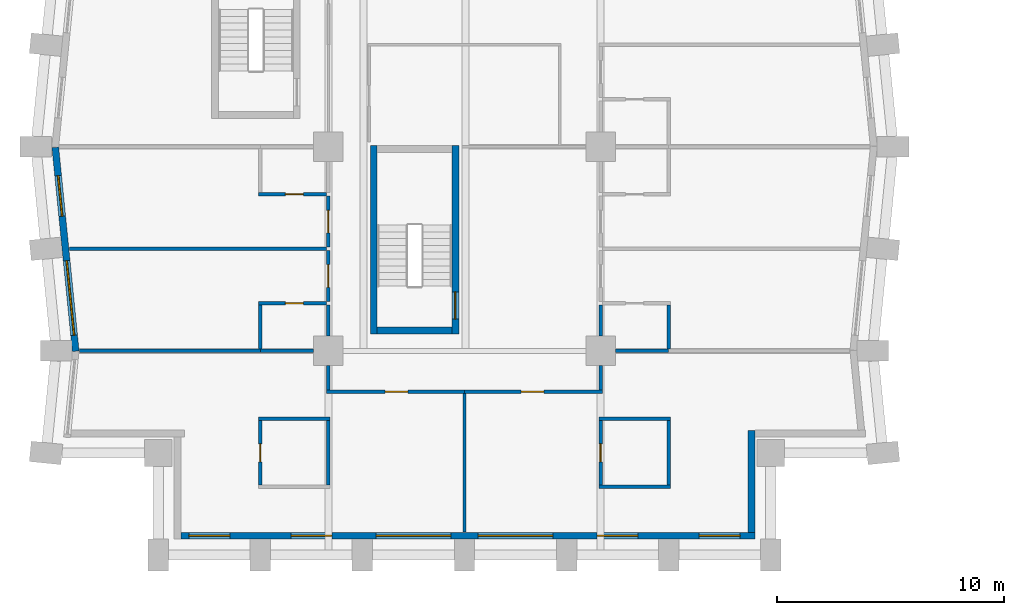
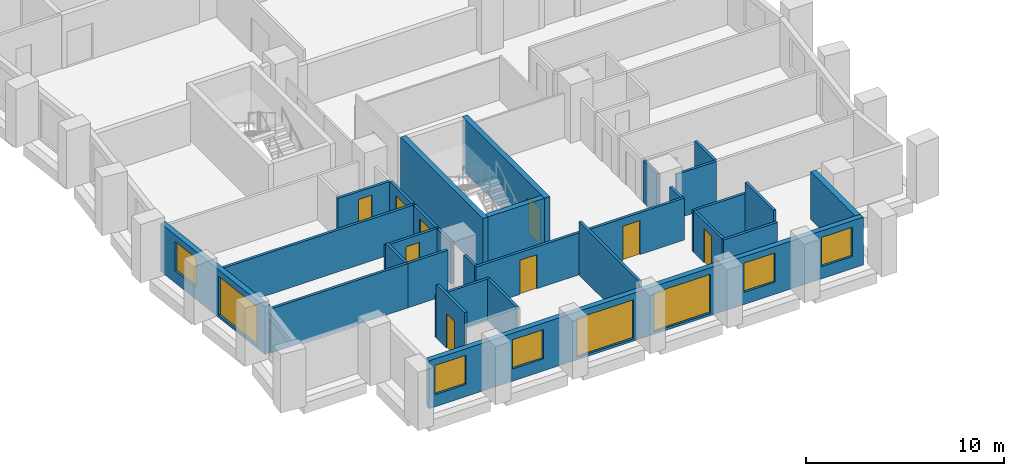
# One storey, part 3 of 13: 30 walls, 9 doors, 8 windows, 17 openings.
"""IFC4 building model written with IfcOpenShell, lengths in metres."""

from ifc_helpers import new_model, si_unit, direction, frame, frame_2d, origin, place, context, subcontext, project, spatial, rectangle, extrude, material, layer, layer_set, type_object, element, fill, save


model = new_model("IFC4")

# Units and contexts
model_context = context("Model", 3, precision=1e-05, world=origin(), true_north=direction((0.0, 1.0)))
body_context = subcontext(model_context, "Body", "Model", "MODEL_VIEW")
ifc_project = project(units=[si_unit("LENGTHUNIT", "METRE"), si_unit("AREAUNIT", "SQUARE_METRE"), si_unit("VOLUMEUNIT", "CUBIC_METRE"), si_unit("PLANEANGLEUNIT", "RADIAN"), si_unit("MASSUNIT", "GRAM", prefix="KILO")], contexts=[model_context])

# Site, building, storey
site_placement = place(None, origin())
site = spatial("IfcSite", under=ifc_project, at=site_placement, CompositionType="ELEMENT")
building_placement = place(site_placement, origin())
building = spatial("IfcBuilding", under=site, at=building_placement, Name="Brondeck Convention Tower", CompositionType="ELEMENT")
storey_placement = place(building_placement, frame((0.0, 0.0, 44.699951171875)))
storey = spatial("IfcBuildingStorey", under=building, at=storey_placement, Name="L08", CompositionType="ELEMENT", Elevation=44.699951171875)

# Wall, openings, windows
ifc_material_1 = material(Name="Precast concrete C50/60 bronze finish", Category="concrete")
ifc_layer_1 = layer(ifc_material_1, 0.070068359375, Name="Bronze precast facing")
ifc_material_2 = material(Name="Mineral wool")
ifc_layer_2 = layer(ifc_material_2, 0.159912109375, Name="Insulation")
ifc_material_3 = material(Name="Concrete C35/45", Category="concrete")
ifc_layer_3 = layer(ifc_material_3, 0.070068359375, Name="Backing")
ifc_layer_set_1 = layer_set([ifc_layer_1, ifc_layer_2, ifc_layer_3], Name="External infill wall, precast concrete C50/60 bronze facing")
wall_type_1 = type_object("IfcWallType", Name="External infill wall, precast concrete C50/60 bronze facing", PredefinedType="SOLIDWALL", material=ifc_layer_set_1)
wall_1_placement = place(storey_placement, frame((30.800048828125, 0.85009765625, 0.0), z_axis=(0.0, 0.0, 1.0), x_axis=(-1.0, 0.0, 0.0)))
wall_1 = element("IfcWall", 1, at=wall_1_placement, inside=storey, type_object=wall_type_1, Name="ENV-EW-L08-P0-B-S0-01", PredefinedType="SOLIDWALL", context=body_context, shape_type="SweptSolid", body=[
    extrude(rectangle(XDim=25.300048828125, YDim=0.300048828125, at=frame_2d((12.64990234375, 0.0))), origin(), (0.0, 0.0, 1.0), 2.949951171875),
])
opening_1_placement = place(wall_1_placement, frame((0.64990234375, 0.0, 0.75)))
opening_1 = element("IfcOpeningElement", 2, at=opening_1_placement, cuts=wall_1, Name="Opening W10", PredefinedType="OPENING", context=body_context, shape_type="SweptSolid", body=[
    extrude(rectangle(XDim=1.800048828125, YDim=1.800048828125, at=frame_2d((0.89990234375, 0.89990234375))), frame((0.0, 0.159912109375, 0.0), z_axis=(0.0, -1.0, 0.0), x_axis=(1.0, 0.0, 0.0)), (0.0, 0.0, 1.0), 0.320068359375),
])
opening_2_placement = place(wall_1_placement, frame((5.14990234375, 0.0, 0.75)))
opening_2 = element("IfcOpeningElement", 3, at=opening_2_placement, cuts=wall_1, Name="Opening W10", PredefinedType="OPENING", context=body_context, shape_type="SweptSolid", body=[
    extrude(rectangle(XDim=1.800048828125, YDim=1.800048828125, at=frame_2d((0.89990234375, 0.89990234375))), frame((0.0, 0.159912109375, 0.0), z_axis=(0.0, -1.0, 0.0), x_axis=(1.0, 0.0, 0.0)), (0.0, 0.0, 1.0), 0.320068359375),
])
opening_3_placement = place(wall_1_placement, frame((8.89990234375, 0.0, 0.14990234375)))
opening_3 = element("IfcOpeningElement", 4, at=opening_3_placement, cuts=wall_1, Name="Opening W9", PredefinedType="OPENING", context=body_context, shape_type="SweptSolid", body=[
    extrude(rectangle(XDim=3.300048828125, YDim=2.39990234375, at=frame_2d((1.64990234375, 1.199951171875))), frame((0.0, 0.159912109375, 0.0), z_axis=(0.0, -1.0, 0.0), x_axis=(1.0, 0.0, 0.0)), (0.0, 0.0, 1.0), 0.320068359375),
])
opening_4_placement = place(wall_1_placement, frame((13.39990234375, 0.0, 0.14990234375)))
opening_4 = element("IfcOpeningElement", 5, at=opening_4_placement, cuts=wall_1, Name="Opening W9", PredefinedType="OPENING", context=body_context, shape_type="SweptSolid", body=[
    extrude(rectangle(XDim=3.300048828125, YDim=2.39990234375, at=frame_2d((1.64990234375, 1.199951171875))), frame((0.0, 0.159912109375, 0.0), z_axis=(0.0, -1.0, 0.0), x_axis=(1.0, 0.0, 0.0)), (0.0, 0.0, 1.0), 0.320068359375),
])
opening_5_placement = place(wall_1_placement, frame((18.64990234375, 0.0, 0.75)))
opening_5 = element("IfcOpeningElement", 6, at=opening_5_placement, cuts=wall_1, Name="Opening W10", PredefinedType="OPENING", context=body_context, shape_type="SweptSolid", body=[
    extrude(rectangle(XDim=1.800048828125, YDim=1.800048828125, at=frame_2d((0.89990234375, 0.89990234375))), frame((0.0, 0.159912109375, 0.0), z_axis=(0.0, -1.0, 0.0), x_axis=(1.0, 0.0, 0.0)), (0.0, 0.0, 1.0), 0.320068359375),
])
opening_6_placement = place(wall_1_placement, frame((23.14990234375, 0.0, 0.75)))
opening_6 = element("IfcOpeningElement", 7, at=opening_6_placement, cuts=wall_1, Name="Opening W10", PredefinedType="OPENING", context=body_context, shape_type="SweptSolid", body=[
    extrude(rectangle(XDim=1.800048828125, YDim=1.800048828125, at=frame_2d((0.89990234375, 0.89990234375))), frame((0.0, 0.159912109375, 0.0), z_axis=(0.0, -1.0, 0.0), x_axis=(1.0, 0.0, 0.0)), (0.0, 0.0, 1.0), 0.320068359375),
])
ifc_material_4 = material(Name="Bronze tinted double glazing", Category="glass")
window_type_1 = type_object("IfcWindowType", Name="Glazed flute window, bronze tinted", PartitioningType="SINGLE_PANEL", PredefinedType="WINDOW", material=ifc_material_4)
window_1_placement = place(opening_3_placement, origin())
window_1 = element("IfcWindow", 8, at=window_1_placement, inside=storey, type_object=window_type_1, Name="ENV-WN-L08-P0-B-S0-04", OverallHeight=2.39990234375, OverallWidth=3.300048828125, PartitioningType="SINGLE_PANEL", PredefinedType="WINDOW", context=body_context, shape_type="SweptSolid", body=[
    extrude(rectangle(XDim=3.300048828125, YDim=2.39990234375, at=frame_2d((1.64990234375, 1.199951171875))), frame((0.0, 0.030029296875, 0.0), z_axis=(0.0, -1.0, 0.0), x_axis=(1.0, 0.0, 0.0)), (0.0, 0.0, 1.0), 0.06005859375),
])
fill(opening_3, window_1)
window_2_placement = place(opening_4_placement, origin())
window_2 = element("IfcWindow", 9, at=window_2_placement, inside=storey, type_object=window_type_1, Name="ENV-WN-L08-P0-B-S0-03", OverallHeight=2.39990234375, OverallWidth=3.300048828125, PartitioningType="SINGLE_PANEL", PredefinedType="WINDOW", context=body_context, shape_type="SweptSolid", body=[
    extrude(rectangle(XDim=3.300048828125, YDim=2.39990234375, at=frame_2d((1.64990234375, 1.199951171875))), frame((0.0, 0.030029296875, 0.0), z_axis=(0.0, -1.0, 0.0), x_axis=(1.0, 0.0, 0.0)), (0.0, 0.0, 1.0), 0.06005859375),
])
fill(opening_4, window_2)
window_type_2 = type_object("IfcWindowType", Name="Punched window, bronze tinted", PartitioningType="SINGLE_PANEL", PredefinedType="WINDOW", material=ifc_material_4)
window_3_placement = place(opening_1_placement, origin())
window_3 = element("IfcWindow", 10, at=window_3_placement, inside=storey, type_object=window_type_2, Name="ENV-WN-L08-P0-B-S0-06", OverallHeight=1.800048828125, OverallWidth=1.800048828125, PartitioningType="SINGLE_PANEL", PredefinedType="WINDOW", context=body_context, shape_type="SweptSolid", body=[
    extrude(rectangle(XDim=1.800048828125, YDim=1.800048828125, at=frame_2d((0.89990234375, 0.89990234375))), frame((0.0, 0.030029296875, 0.0), z_axis=(0.0, -1.0, 0.0), x_axis=(1.0, 0.0, 0.0)), (0.0, 0.0, 1.0), 0.06005859375),
])
fill(opening_1, window_3)
window_4_placement = place(opening_2_placement, origin())
window_4 = element("IfcWindow", 11, at=window_4_placement, inside=storey, type_object=window_type_2, Name="ENV-WN-L08-P0-B-S0-05", OverallHeight=1.800048828125, OverallWidth=1.800048828125, PartitioningType="SINGLE_PANEL", PredefinedType="WINDOW", context=body_context, shape_type="SweptSolid", body=[
    extrude(rectangle(XDim=1.800048828125, YDim=1.800048828125, at=frame_2d((0.89990234375, 0.89990234375))), frame((0.0, 0.030029296875, 0.0), z_axis=(0.0, -1.0, 0.0), x_axis=(1.0, 0.0, 0.0)), (0.0, 0.0, 1.0), 0.06005859375),
])
fill(opening_2, window_4)
window_5_placement = place(opening_5_placement, origin())
window_5 = element("IfcWindow", 12, at=window_5_placement, inside=storey, type_object=window_type_2, Name="ENV-WN-L08-P0-B-S0-02", OverallHeight=1.800048828125, OverallWidth=1.800048828125, PartitioningType="SINGLE_PANEL", PredefinedType="WINDOW", context=body_context, shape_type="SweptSolid", body=[
    extrude(rectangle(XDim=1.800048828125, YDim=1.800048828125, at=frame_2d((0.89990234375, 0.89990234375))), frame((0.0, 0.030029296875, 0.0), z_axis=(0.0, -1.0, 0.0), x_axis=(1.0, 0.0, 0.0)), (0.0, 0.0, 1.0), 0.06005859375),
])
fill(opening_5, window_5)
window_6_placement = place(opening_6_placement, origin())
window_6 = element("IfcWindow", 13, at=window_6_placement, inside=storey, type_object=window_type_2, Name="ENV-WN-L08-P0-B-S0-01", OverallHeight=1.800048828125, OverallWidth=1.800048828125, PartitioningType="SINGLE_PANEL", PredefinedType="WINDOW", context=body_context, shape_type="SweptSolid", body=[
    extrude(rectangle(XDim=1.800048828125, YDim=1.800048828125, at=frame_2d((0.89990234375, 0.89990234375))), frame((0.0, 0.030029296875, 0.0), z_axis=(0.0, -1.0, 0.0), x_axis=(1.0, 0.0, 0.0)), (0.0, 0.0, 1.0), 0.06005859375),
])
fill(opening_6, window_6)

# Wall
wall_2_placement = place(storey_placement, frame((30.64990234375, 5.5, 0.0), z_axis=(0.0, 0.0, 1.0), x_axis=(0.0, -1.0, 0.0)))
element("IfcWall", 14, at=wall_2_placement, inside=storey, type_object=wall_type_1, Name="ENV-EW-L08-P0-NC-SEB0-01", PredefinedType="SOLIDWALL", context=body_context, shape_type="SweptSolid", body=[
    extrude(rectangle(XDim=4.501953125, YDim=0.300048828125, at=frame_2d((2.2509765625, 0.0))), origin(), (0.0, 0.0, 1.0), 2.949951171875),
])

# Wall, openings, windows
wall_3_placement = place(storey_placement, frame((0.855712890625, 8.985107421875, 0.0), z_axis=(0.0, 0.0, 1.0), x_axis=(-0.099495688264, 0.995037993253, 0.0)))
wall_3 = element("IfcWall", 15, at=wall_3_placement, inside=storey, type_object=wall_type_1, Name="ENV-EW-L08-P0-B-W-10", PredefinedType="SOLIDWALL", context=body_context, shape_type="SweptSolid", body=[
    extrude(rectangle(XDim=9.030029296875, YDim=0.300048828125, at=frame_2d((4.51513671875, 0.0))), origin(), (0.0, 0.0, 1.0), 2.949951171875),
])
opening_7_placement = place(wall_3_placement, frame((0.711181640625, 0.0, 0.14990234375)))
opening_7 = element("IfcOpeningElement", 16, at=opening_7_placement, cuts=wall_3, Name="Opening W9", PredefinedType="OPENING", context=body_context, shape_type="SweptSolid", body=[
    extrude(rectangle(XDim=3.300048828125, YDim=2.39990234375, at=frame_2d((1.64990234375, 1.199951171875))), frame((0.0, 0.159912109375, 0.0), z_axis=(0.0, -1.0, 0.0), x_axis=(1.0, 0.0, 0.0)), (0.0, 0.0, 1.0), 0.320068359375),
])
opening_8_placement = place(wall_3_placement, frame((5.983642578125, 0.0, 0.75)))
opening_8 = element("IfcOpeningElement", 17, at=opening_8_placement, cuts=wall_3, Name="Opening W10", PredefinedType="OPENING", context=body_context, shape_type="SweptSolid", body=[
    extrude(rectangle(XDim=1.800048828125, YDim=1.800048828125, at=frame_2d((0.89990234375, 0.89990234375))), frame((0.0, 0.159912109375, 0.0), z_axis=(0.0, -1.0, 0.0), x_axis=(1.0, 0.0, 0.0)), (0.0, 0.0, 1.0), 0.320068359375),
])
window_7_placement = place(opening_7_placement, origin())
window_7 = element("IfcWindow", 18, at=window_7_placement, inside=storey, type_object=window_type_1, Name="ENV-WN-L08-P0-B-W-11", OverallHeight=2.39990234375, OverallWidth=3.300048828125, PartitioningType="SINGLE_PANEL", PredefinedType="WINDOW", context=body_context, shape_type="SweptSolid", body=[
    extrude(rectangle(XDim=3.300048828125, YDim=2.39990234375, at=frame_2d((1.64990234375, 1.199951171875))), frame((0.0, 0.030029296875, 0.0), z_axis=(0.0, -1.0, 0.0), x_axis=(1.0, 0.0, 0.0)), (0.0, 0.0, 1.0), 0.06005859375),
])
fill(opening_7, window_7)
window_8_placement = place(opening_8_placement, origin())
window_8 = element("IfcWindow", 19, at=window_8_placement, inside=storey, type_object=window_type_2, Name="ENV-WN-L08-P0-B-W-10", OverallHeight=1.800048828125, OverallWidth=1.800048828125, PartitioningType="SINGLE_PANEL", PredefinedType="WINDOW", context=body_context, shape_type="SweptSolid", body=[
    extrude(rectangle(XDim=1.800048828125, YDim=1.800048828125, at=frame_2d((0.89990234375, 0.89990234375))), frame((0.0, 0.030029296875, 0.0), z_axis=(0.0, -1.0, 0.0), x_axis=(1.0, 0.0, 0.0)), (0.0, 0.0, 1.0), 0.06005859375),
])
fill(opening_8, window_8)

# Walls
ifc_material_5 = material(Name="Double gypsum board acoustic wall")
ifc_layer_4 = layer(ifc_material_5, 0.14990234375)
ifc_layer_set_2 = layer_set([ifc_layer_4], Name="Guest room party wall 150")
wall_type_2 = type_object("IfcWallType", Name="Guest room party wall 150", PredefinedType="PARTITIONING", material=ifc_layer_set_2)
wall_4_placement = place(storey_placement, frame((23.925048828125, 3.0, 0.0), z_axis=(0.0, 0.0, 1.0), x_axis=(1.0, 0.0, 0.0)))
element("IfcWall", 20, at=wall_4_placement, inside=storey, type_object=wall_type_2, Name="FLR-L08-W002", PredefinedType="PARTITIONING", context=body_context, shape_type="SweptSolid", body=[
    extrude(rectangle(XDim=3.14990234375, YDim=0.14990234375, at=frame_2d((1.574951171875, 0.0))), origin(), (0.0, 0.0, 1.0), 2.580078125),
])
wall_5_placement = place(storey_placement, frame((12.0, 3.074951171875, 0.0), z_axis=(0.0, 0.0, 1.0), x_axis=(0.0, 1.0, 0.0)))
element("IfcWall", 21, at=wall_5_placement, inside=storey, type_object=wall_type_2, Name="FLR-L08-W003", PredefinedType="PARTITIONING", context=body_context, shape_type="SweptSolid", body=[
    extrude(rectangle(XDim=2.85009765625, YDim=0.14990234375, at=frame_2d((1.425048828125, 0.0))), origin(), (0.0, 0.0, 1.0), 2.580078125),
])
wall_6_placement = place(storey_placement, frame((27.0, 3.074951171875, 0.0), z_axis=(0.0, 0.0, 1.0), x_axis=(0.0, 1.0, 0.0)))
element("IfcWall", 22, at=wall_6_placement, inside=storey, type_object=wall_type_2, Name="FLR-L08-W004", PredefinedType="PARTITIONING", context=body_context, shape_type="SweptSolid", body=[
    extrude(rectangle(XDim=2.85009765625, YDim=0.14990234375, at=frame_2d((1.425048828125, 0.0))), origin(), (0.0, 0.0, 1.0), 3.280029296875),
])

# Wall, opening, door
wall_7_placement = place(storey_placement, frame((9.0, 5.925048828125, 0.0), z_axis=(0.0, 0.0, 1.0), x_axis=(0.0, -1.0, 0.0)))
wall_7 = element("IfcWall", 23, at=wall_7_placement, inside=storey, type_object=wall_type_2, Name="FLR-L08-W005", PredefinedType="PARTITIONING", context=body_context, shape_type="SweptSolid", body=[
    extrude(rectangle(XDim=2.85009765625, YDim=0.14990234375, at=frame_2d((1.425048828125, 0.0))), origin(), (0.0, 0.0, 1.0), 3.280029296875),
])
opening_9_placement = place(wall_7_placement, frame((1.02490234375, 0.0, 0.0)))
opening_9 = element("IfcOpeningElement", 24, at=opening_9_placement, cuts=wall_7, Name="Opening H1-043", PredefinedType="OPENING", context=body_context, shape_type="SweptSolid", body=[
    extrude(rectangle(XDim=0.800048828125, YDim=2.10009765625, at=frame_2d((0.39990234375, 1.050048828125))), frame((0.0, 0.0849609375, 0.0), z_axis=(0.0, -1.0, 0.0), x_axis=(1.0, 0.0, 0.0)), (0.0, 0.0, 1.0), 0.169921875),
])
ifc_material_6 = material(Name="Solid timber door leaf", Category="wood")
door_type_1 = type_object("IfcDoorType", Name="En-suite door 800", OperationType="NOTDEFINED", PredefinedType="DOOR", material=ifc_material_6)
door_1_placement = place(opening_9_placement, origin())
door_1 = element("IfcDoor", 25, at=door_1_placement, inside=storey, type_object=door_type_1, Name="Door H1-043", OperationType="SINGLE_SWING_RIGHT", OverallHeight=2.10009765625, OverallWidth=0.800048828125, PredefinedType="DOOR", context=body_context, shape_type="SweptSolid", body=[
    extrude(rectangle(XDim=0.800048828125, YDim=2.10009765625, at=frame_2d((0.39990234375, 1.050048828125))), frame((0.0, 0.02490234375, 0.0), z_axis=(0.0, -1.0, 0.0), x_axis=(1.0, 0.0, 0.0)), (0.0, 0.0, 1.0), 0.050048828125),
])
fill(opening_9, door_1)

wall_8_placement = place(storey_placement, frame((24.0, 5.925048828125, 0.0), z_axis=(0.0, 0.0, 1.0), x_axis=(0.0, -1.0, 0.0)))
wall_8 = element("IfcWall", 26, at=wall_8_placement, inside=storey, type_object=wall_type_2, Name="FLR-L08-W006", PredefinedType="PARTITIONING", context=body_context, shape_type="SweptSolid", body=[
    extrude(rectangle(XDim=2.85009765625, YDim=0.14990234375, at=frame_2d((1.425048828125, 0.0))), origin(), (0.0, 0.0, 1.0), 2.580078125),
])
opening_10_placement = place(wall_8_placement, frame((1.02490234375, 0.0, 0.0)))
opening_10 = element("IfcOpeningElement", 27, at=opening_10_placement, cuts=wall_8, Name="Opening H1-045", PredefinedType="OPENING", context=body_context, shape_type="SweptSolid", body=[
    extrude(rectangle(XDim=0.800048828125, YDim=2.10009765625, at=frame_2d((0.39990234375, 1.050048828125))), frame((0.0, 0.0849609375, 0.0), z_axis=(0.0, -1.0, 0.0), x_axis=(1.0, 0.0, 0.0)), (0.0, 0.0, 1.0), 0.169921875),
])
door_2_placement = place(opening_10_placement, origin())
door_2 = element("IfcDoor", 28, at=door_2_placement, inside=storey, type_object=door_type_1, Name="Door H1-045", OperationType="SINGLE_SWING_RIGHT", OverallHeight=2.10009765625, OverallWidth=0.800048828125, PredefinedType="DOOR", context=body_context, shape_type="SweptSolid", body=[
    extrude(rectangle(XDim=0.800048828125, YDim=2.10009765625, at=frame_2d((0.39990234375, 1.050048828125))), frame((0.0, 0.02490234375, 0.0), z_axis=(0.0, -1.0, 0.0), x_axis=(1.0, 0.0, 0.0)), (0.0, 0.0, 1.0), 0.050048828125),
])
fill(opening_10, door_2)

# Walls
for number, where, z_axis, x_axis, name in (
    (29, (12.074951171875, 6.0, 0.0), (0.0, 0.0, 1.0), (-1.0, 0.0, 0.0), "FLR-L08-W007"),
    (30, (27.074951171875, 6.0, 0.0), (0.0, 0.0, 1.0), (-1.0, 0.0, 0.0), "FLR-L08-W008"),
):
    element("IfcWall", number, at=place(storey_placement, frame(where, z_axis=z_axis, x_axis=x_axis)), inside=storey, type_object=wall_type_2, Name=name, PredefinedType="PARTITIONING", context=body_context, shape_type="SweptSolid", body=[
        extrude(rectangle(XDim=3.14990234375, YDim=0.14990234375, at=frame_2d((1.574951171875, 0.0))), origin(), (0.0, 0.0, 1.0), 2.580078125),
    ])
wall_9_placement = place(storey_placement, frame((18.0, 7.125, 0.0), z_axis=(0.0, 0.0, 1.0), x_axis=(0.0, -1.0, 0.0)))
element("IfcWall", 31, at=wall_9_placement, inside=storey, type_object=wall_type_2, Name="FLR-L08-W009", PredefinedType="PARTITIONING", context=body_context, shape_type="SweptSolid", body=[
    extrude(rectangle(XDim=6.10498046875, YDim=0.14990234375, at=frame_2d((3.052490234375, 0.0))), origin(), (0.0, 0.0, 1.0), 3.280029296875),
])

# Wall, opening, door
wall_10_placement = place(storey_placement, frame((18.0, 7.199951171875, 0.0), z_axis=(0.0, 0.0, 1.0), x_axis=(-1.0, 0.0, 0.0)))
wall_10 = element("IfcWall", 32, at=wall_10_placement, inside=storey, type_object=wall_type_2, Name="FLR-L08-W010", PredefinedType="PARTITIONING", context=body_context, shape_type="SweptSolid", body=[
    extrude(rectangle(XDim=6.074951171875, YDim=0.14990234375, at=frame_2d((3.03759765625, 0.0))), origin(), (0.0, 0.0, 1.0), 2.580078125),
])
opening_11_placement = place(wall_10_placement, frame((2.5, 0.0, 0.0)))
opening_11 = element("IfcOpeningElement", 33, at=opening_11_placement, cuts=wall_10, Name="Opening H1-042", PredefinedType="OPENING", context=body_context, shape_type="SweptSolid", body=[
    extrude(rectangle(XDim=1.0, YDim=2.10009765625, at=frame_2d((0.5, 1.050048828125))), frame((0.0, 0.0849609375, 0.0), z_axis=(0.0, -1.0, 0.0), x_axis=(1.0, 0.0, 0.0)), (0.0, 0.0, 1.0), 0.169921875),
])
ifc_material_7 = material(Name="Solid timber fire door leaf", Category="wood")
door_type_2 = type_object("IfcDoorType", Name="Guest room door 1000", OperationType="NOTDEFINED", PredefinedType="DOOR", material=ifc_material_7)
door_3_placement = place(opening_11_placement, origin())
door_3 = element("IfcDoor", 34, at=door_3_placement, inside=storey, type_object=door_type_2, Name="Door H1-042", OperationType="SINGLE_SWING_LEFT", OverallHeight=2.10009765625, OverallWidth=1.0, PredefinedType="DOOR", context=body_context, shape_type="SweptSolid", body=[
    extrude(rectangle(XDim=1.0, YDim=2.10009765625, at=frame_2d((0.5, 1.050048828125))), frame((0.0, 0.02490234375, 0.0), z_axis=(0.0, -1.0, 0.0), x_axis=(1.0, 0.0, 0.0)), (0.0, 0.0, 1.0), 0.050048828125),
])
fill(opening_11, door_3)

wall_11_placement = place(storey_placement, frame((24.074951171875, 7.199951171875, 0.0), z_axis=(0.0, 0.0, 1.0), x_axis=(-1.0, 0.0, 0.0)))
wall_11 = element("IfcWall", 35, at=wall_11_placement, inside=storey, type_object=wall_type_2, Name="FLR-L08-W011", PredefinedType="PARTITIONING", context=body_context, shape_type="SweptSolid", body=[
    extrude(rectangle(XDim=6.074951171875, YDim=0.14990234375, at=frame_2d((3.03759765625, 0.0))), origin(), (0.0, 0.0, 1.0), 2.580078125),
])
opening_12_placement = place(wall_11_placement, frame((2.574951171875, 0.0, 0.0)))
opening_12 = element("IfcOpeningElement", 36, at=opening_12_placement, cuts=wall_11, Name="Opening H1-044", PredefinedType="OPENING", context=body_context, shape_type="SweptSolid", body=[
    extrude(rectangle(XDim=1.0, YDim=2.10009765625, at=frame_2d((0.5, 1.050048828125))), frame((0.0, 0.0849609375, 0.0), z_axis=(0.0, -1.0, 0.0), x_axis=(1.0, 0.0, 0.0)), (0.0, 0.0, 1.0), 0.169921875),
])
door_4_placement = place(opening_12_placement, origin())
door_4 = element("IfcDoor", 37, at=door_4_placement, inside=storey, type_object=door_type_2, Name="Door H1-044", OperationType="SINGLE_SWING_LEFT", OverallHeight=2.10009765625, OverallWidth=1.0, PredefinedType="DOOR", context=body_context, shape_type="SweptSolid", body=[
    extrude(rectangle(XDim=1.0, YDim=2.10009765625, at=frame_2d((0.5, 1.050048828125))), frame((0.0, 0.02490234375, 0.0), z_axis=(0.0, -1.0, 0.0), x_axis=(1.0, 0.0, 0.0)), (0.0, 0.0, 1.0), 0.050048828125),
])
fill(opening_12, door_4)

# Walls
for number, where, z_axis, x_axis, name in (
    (38, (12.0, 7.27490234375, 0.0), (0.0, 0.0, 1.0), (0.0, 1.0, 0.0), "FLR-L08-W012"),
    (39, (24.0, 8.344970703125, 0.0), (0.0, 0.0, 1.0), (0.0, -1.0, 0.0), "FLR-L08-W013"),
):
    element("IfcWall", number, at=place(storey_placement, frame(where, z_axis=z_axis, x_axis=x_axis)), inside=storey, type_object=wall_type_2, Name=name, PredefinedType="PARTITIONING", context=body_context, shape_type="SweptSolid", body=[
        extrude(rectangle(XDim=1.070068359375, YDim=0.14990234375, at=frame_2d((0.53515625, 0.0))), origin(), (0.0, 0.0, 1.0), 2.580078125),
    ])
wall_12_placement = place(storey_placement, frame((9.0, 9.0, 0.0), z_axis=(0.0, 0.0, 1.0), x_axis=(-1.0, 0.0, 0.0)))
element("IfcWall", 40, at=wall_12_placement, inside=storey, type_object=wall_type_2, Name="FLR-L08-W014", PredefinedType="PARTITIONING", context=body_context, shape_type="SweptSolid", body=[
    extrude(rectangle(XDim=7.97509765625, YDim=0.14990234375, at=frame_2d((3.987548828125, 0.0))), origin(), (0.0, 0.0, 1.0), 2.72998046875),
])
for number, where, z_axis, x_axis, name in (
    (41, (11.344970703125, 9.0, 0.0), (0.0, 0.0, 1.0), (-1.0, 0.0, 0.0), "FLR-L08-W015"),
    (42, (27.0, 9.0, 0.0), (0.0, 0.0, 1.0), (-1.0, 0.0, 0.0), "FLR-L08-W016"),
):
    element("IfcWall", number, at=place(storey_placement, frame(where, z_axis=z_axis, x_axis=x_axis)), inside=storey, type_object=wall_type_2, Name=name, PredefinedType="PARTITIONING", context=body_context, shape_type="SweptSolid", body=[
        extrude(rectangle(XDim=2.344970703125, YDim=0.14990234375, at=frame_2d((1.17236328125, 0.0))), origin(), (0.0, 0.0, 1.0), 2.72998046875),
    ])
wall_13_placement = place(storey_placement, frame((27.0, 9.074951171875, 0.0), z_axis=(0.0, 0.0, 1.0), x_axis=(0.0, 1.0, 0.0)))
element("IfcWall", 43, at=wall_13_placement, inside=storey, type_object=wall_type_2, Name="FLR-L08-W018", PredefinedType="PARTITIONING", context=body_context, shape_type="SweptSolid", body=[
    extrude(rectangle(XDim=1.949951171875, YDim=0.14990234375, at=frame_2d((0.97509765625, 0.0))), origin(), (0.0, 0.0, 1.0), 2.72998046875),
])
wall_14_placement = place(storey_placement, frame((12.0, 9.655029296875, 0.0), z_axis=(0.0, 0.0, 1.0), x_axis=(0.0, 1.0, 0.0)))
element("IfcWall", 44, at=wall_14_placement, inside=storey, type_object=wall_type_2, Name="FLR-L08-W019", PredefinedType="PARTITIONING", context=body_context, shape_type="SweptSolid", body=[
    extrude(rectangle(XDim=1.369873046875, YDim=0.14990234375, at=frame_2d((0.68505859375, 0.0))), origin(), (0.0, 0.0, 1.0), 2.580078125),
])
wall_15_placement = place(storey_placement, frame((9.0, 11.02490234375, 0.0), z_axis=(0.0, 0.0, 1.0), x_axis=(0.0, -1.0, 0.0)))
element("IfcWall", 45, at=wall_15_placement, inside=storey, type_object=wall_type_2, Name="FLR-L08-W020", PredefinedType="PARTITIONING", context=body_context, shape_type="SweptSolid", body=[
    extrude(rectangle(XDim=1.949951171875, YDim=0.14990234375, at=frame_2d((0.97509765625, 0.0))), origin(), (0.0, 0.0, 1.0), 2.72998046875),
])
wall_16_placement = place(storey_placement, frame((24.0, 11.02490234375, 0.0), z_axis=(0.0, 0.0, 1.0), x_axis=(0.0, -1.0, 0.0)))
element("IfcWall", 46, at=wall_16_placement, inside=storey, type_object=wall_type_2, Name="FLR-L08-W021", PredefinedType="PARTITIONING", context=body_context, shape_type="SweptSolid", body=[
    extrude(rectangle(XDim=1.369873046875, YDim=0.14990234375, at=frame_2d((0.68505859375, 0.0))), origin(), (0.0, 0.0, 1.0), 2.580078125),
])

# Wall, opening, door
wall_17_placement = place(storey_placement, frame((11.925048828125, 11.10009765625, 0.0), z_axis=(0.0, 0.0, 1.0), x_axis=(-1.0, 0.0, 0.0)))
wall_17 = element("IfcWall", 47, at=wall_17_placement, inside=storey, type_object=wall_type_2, Name="FLR-L08-W022", PredefinedType="PARTITIONING", context=body_context, shape_type="SweptSolid", body=[
    extrude(rectangle(XDim=3.0, YDim=0.14990234375, at=frame_2d((1.5, 0.0))), origin(), (0.0, 0.0, 1.0), 2.580078125),
])
opening_13_placement = place(wall_17_placement, frame((1.02490234375, 0.0, 0.0)))
opening_13 = element("IfcOpeningElement", 48, at=opening_13_placement, cuts=wall_17, Name="Opening H1-034", PredefinedType="OPENING", context=body_context, shape_type="SweptSolid", body=[
    extrude(rectangle(XDim=0.800048828125, YDim=2.10009765625, at=frame_2d((0.39990234375, 1.050048828125))), frame((0.0, 0.0849609375, 0.0), z_axis=(0.0, -1.0, 0.0), x_axis=(1.0, 0.0, 0.0)), (0.0, 0.0, 1.0), 0.169921875),
])
door_5_placement = place(opening_13_placement, origin())
door_5 = element("IfcDoor", 49, at=door_5_placement, inside=storey, type_object=door_type_1, Name="Door H1-034", OperationType="SINGLE_SWING_LEFT", OverallHeight=2.10009765625, OverallWidth=0.800048828125, PredefinedType="DOOR", context=body_context, shape_type="SweptSolid", body=[
    extrude(rectangle(XDim=0.800048828125, YDim=2.10009765625, at=frame_2d((0.39990234375, 1.050048828125))), frame((0.0, 0.02490234375, 0.0), z_axis=(0.0, -1.0, 0.0), x_axis=(1.0, 0.0, 0.0)), (0.0, 0.0, 1.0), 0.050048828125),
])
fill(opening_13, door_5)

wall_18_placement = place(storey_placement, frame((12.0, 11.175048828125, 0.0), z_axis=(0.0, 0.0, 1.0), x_axis=(0.0, 1.0, 0.0)))
wall_18 = element("IfcWall", 50, at=wall_18_placement, inside=storey, type_object=wall_type_2, Name="FLR-L08-W024", PredefinedType="PARTITIONING", context=body_context, shape_type="SweptSolid", body=[
    extrude(rectangle(XDim=2.25, YDim=0.14990234375, at=frame_2d((1.125, 0.0))), origin(), (0.0, 0.0, 1.0), 2.580078125),
])
opening_14_placement = place(wall_18_placement, frame((0.625, 0.0, 0.0)))
opening_14 = element("IfcOpeningElement", 51, at=opening_14_placement, cuts=wall_18, Name="Opening H1-033", PredefinedType="OPENING", context=body_context, shape_type="SweptSolid", body=[
    extrude(rectangle(XDim=1.0, YDim=2.10009765625, at=frame_2d((0.5, 1.050048828125))), frame((0.0, 0.0849609375, 0.0), z_axis=(0.0, -1.0, 0.0), x_axis=(1.0, 0.0, 0.0)), (0.0, 0.0, 1.0), 0.169921875),
])
door_6_placement = place(opening_14_placement, origin())
door_6 = element("IfcDoor", 52, at=door_6_placement, inside=storey, type_object=door_type_2, Name="Door H1-033", OperationType="SINGLE_SWING_LEFT", OverallHeight=2.10009765625, OverallWidth=1.0, PredefinedType="DOOR", context=body_context, shape_type="SweptSolid", body=[
    extrude(rectangle(XDim=1.0, YDim=2.10009765625, at=frame_2d((0.5, 1.050048828125))), frame((0.0, 0.02490234375, 0.0), z_axis=(0.0, -1.0, 0.0), x_axis=(1.0, 0.0, 0.0)), (0.0, 0.0, 1.0), 0.050048828125),
])
fill(opening_14, door_6)

# Wall
wall_19_placement = place(storey_placement, frame((11.925048828125, 13.5, 0.0), z_axis=(0.0, 0.0, 1.0), x_axis=(-1.0, 0.0, 0.0)))
element("IfcWall", 53, at=wall_19_placement, inside=storey, type_object=wall_type_2, Name="FLR-L08-W026", PredefinedType="PARTITIONING", context=body_context, shape_type="SweptSolid", body=[
    extrude(rectangle(XDim=11.35009765625, YDim=0.14990234375, at=frame_2d((5.675048828125, 0.0))), origin(), (0.0, 0.0, 1.0), 2.580078125),
])

# Wall, opening, door
wall_20_placement = place(storey_placement, frame((12.0, 13.574951171875, 0.0), z_axis=(0.0, 0.0, 1.0), x_axis=(0.0, 1.0, 0.0)))
wall_20 = element("IfcWall", 54, at=wall_20_placement, inside=storey, type_object=wall_type_2, Name="FLR-L08-W028", PredefinedType="PARTITIONING", context=body_context, shape_type="SweptSolid", body=[
    extrude(rectangle(XDim=2.25, YDim=0.14990234375, at=frame_2d((1.125, 0.0))), origin(), (0.0, 0.0, 1.0), 2.580078125),
])
opening_15_placement = place(wall_20_placement, frame((0.625, 0.0, 0.0)))
opening_15 = element("IfcOpeningElement", 55, at=opening_15_placement, cuts=wall_20, Name="Opening H1-031", PredefinedType="OPENING", context=body_context, shape_type="SweptSolid", body=[
    extrude(rectangle(XDim=1.0, YDim=2.10009765625, at=frame_2d((0.5, 1.050048828125))), frame((0.0, 0.0849609375, 0.0), z_axis=(0.0, -1.0, 0.0), x_axis=(1.0, 0.0, 0.0)), (0.0, 0.0, 1.0), 0.169921875),
])
door_7_placement = place(opening_15_placement, origin())
door_7 = element("IfcDoor", 56, at=door_7_placement, inside=storey, type_object=door_type_2, Name="Door H1-031", OperationType="SINGLE_SWING_LEFT", OverallHeight=2.10009765625, OverallWidth=1.0, PredefinedType="DOOR", context=body_context, shape_type="SweptSolid", body=[
    extrude(rectangle(XDim=1.0, YDim=2.10009765625, at=frame_2d((0.5, 1.050048828125))), frame((0.0, 0.02490234375, 0.0), z_axis=(0.0, -1.0, 0.0), x_axis=(1.0, 0.0, 0.0)), (0.0, 0.0, 1.0), 0.050048828125),
])
fill(opening_15, door_7)

wall_21_placement = place(storey_placement, frame((8.925048828125, 15.89990234375, 0.0), z_axis=(0.0, 0.0, 1.0), x_axis=(1.0, 0.0, 0.0)))
wall_21 = element("IfcWall", 57, at=wall_21_placement, inside=storey, type_object=wall_type_2, Name="FLR-L08-W030", PredefinedType="PARTITIONING", context=body_context, shape_type="SweptSolid", body=[
    extrude(rectangle(XDim=3.0, YDim=0.14990234375, at=frame_2d((1.5, 0.0))), origin(), (0.0, 0.0, 1.0), 2.580078125),
])
opening_16_placement = place(wall_21_placement, frame((1.175048828125, 0.0, 0.0)))
opening_16 = element("IfcOpeningElement", 58, at=opening_16_placement, cuts=wall_21, Name="Opening H1-032", PredefinedType="OPENING", context=body_context, shape_type="SweptSolid", body=[
    extrude(rectangle(XDim=0.800048828125, YDim=2.10009765625, at=frame_2d((0.39990234375, 1.050048828125))), frame((0.0, 0.0849609375, 0.0), z_axis=(0.0, -1.0, 0.0), x_axis=(1.0, 0.0, 0.0)), (0.0, 0.0, 1.0), 0.169921875),
])
door_8_placement = place(opening_16_placement, origin())
door_8 = element("IfcDoor", 59, at=door_8_placement, inside=storey, type_object=door_type_1, Name="Door H1-032", OperationType="SINGLE_SWING_LEFT", OverallHeight=2.10009765625, OverallWidth=0.800048828125, PredefinedType="DOOR", context=body_context, shape_type="SweptSolid", body=[
    extrude(rectangle(XDim=0.800048828125, YDim=2.10009765625, at=frame_2d((0.39990234375, 1.050048828125))), frame((0.0, 0.02490234375, 0.0), z_axis=(0.0, -1.0, 0.0), x_axis=(1.0, 0.0, 0.0)), (0.0, 0.0, 1.0), 0.050048828125),
])
fill(opening_16, door_8)

# Walls
ifc_material_8 = material(Name="Concrete C80/95", Category="concrete")
ifc_layer_5 = layer(ifc_material_8, 0.300048828125)
ifc_layer_set_3 = layer_set([ifc_layer_5], Name="Stair enclosure wall 300 Concrete C80/95")
wall_type_3 = type_object("IfcWallType", Name="Stair enclosure wall 300 Concrete C80/95", PredefinedType="SHEAR", material=ifc_layer_set_3)
wall_22_placement = place(storey_placement, frame((14.14990234375, 9.89990234375, 0.0), z_axis=(0.0, 0.0, 1.0), x_axis=(1.0, 0.0, 0.0)))
element("IfcWall", 60, at=wall_22_placement, inside=storey, type_object=wall_type_3, Name="L08 core wall", PredefinedType="SHEAR", context=body_context, shape_type="SweptSolid", body=[
    extrude(rectangle(XDim=3.300048828125, YDim=0.300048828125, at=frame_2d((1.64990234375, 0.0))), origin(), (0.0, 0.0, 1.0), 3.300048828125),
])
wall_23_placement = place(storey_placement, frame((14.0, 9.75, 0.0), z_axis=(0.0, 0.0, 1.0), x_axis=(0.0, 1.0, 0.0)))
element("IfcWall", 61, at=wall_23_placement, inside=storey, type_object=wall_type_3, Name="L08 core wall", PredefinedType="SHEAR", context=body_context, shape_type="SweptSolid", body=[
    extrude(rectangle(XDim=8.300048828125, YDim=0.300048828125, at=frame_2d((4.14990234375, 0.0))), origin(), (0.0, 0.0, 1.0), 3.300048828125),
])

# Wall, opening, door
wall_24_placement = place(storey_placement, frame((17.60009765625, 9.75, 0.0), z_axis=(0.0, 0.0, 1.0), x_axis=(0.0, 1.0, 0.0)))
wall_24 = element("IfcWall", 62, at=wall_24_placement, inside=storey, type_object=wall_type_3, Name="L08 core wall", PredefinedType="SHEAR", context=body_context, shape_type="SweptSolid", body=[
    extrude(rectangle(XDim=8.300048828125, YDim=0.300048828125, at=frame_2d((4.14990234375, 0.0))), origin(), (0.0, 0.0, 1.0), 3.300048828125),
])
opening_17_placement = place(wall_24_placement, frame((0.64990234375, 0.0, 0.0)))
opening_17 = element("IfcOpeningElement", 63, at=opening_17_placement, cuts=wall_24, Name="Opening C08-20", PredefinedType="OPENING", context=body_context, shape_type="SweptSolid", body=[
    extrude(rectangle(XDim=1.199951171875, YDim=2.199951171875, at=frame_2d((0.60009765625, 1.10009765625))), frame((0.0, 0.159912109375, 0.0), z_axis=(0.0, -1.0, 0.0), x_axis=(1.0, 0.0, 0.0)), (0.0, 0.0, 1.0), 0.320068359375),
])
ifc_material_9 = material(Name="Steel fire door", Category="steel")
door_type_3 = type_object("IfcDoorType", Name="Stair door 1200x2200 EI 90", OperationType="NOTDEFINED", PredefinedType="DOOR", material=ifc_material_9)
door_9_placement = place(opening_17_placement, origin())
door_9 = element("IfcDoor", 64, at=door_9_placement, inside=storey, type_object=door_type_3, Name="L08 Stair door ST-BF", OperationType="SINGLE_SWING_LEFT", OverallHeight=2.199951171875, OverallWidth=1.199951171875, PredefinedType="DOOR", context=body_context, shape_type="SweptSolid", body=[
    extrude(rectangle(XDim=1.199951171875, YDim=2.199951171875, at=frame_2d((0.60009765625, 1.10009765625))), frame((0.0, 0.02490234375, 0.0), z_axis=(0.0, -1.0, 0.0), x_axis=(1.0, 0.0, 0.0)), (0.0, 0.0, 1.0), 0.050048828125),
])
fill(opening_17, door_9)

save(model, "model.ifc")
